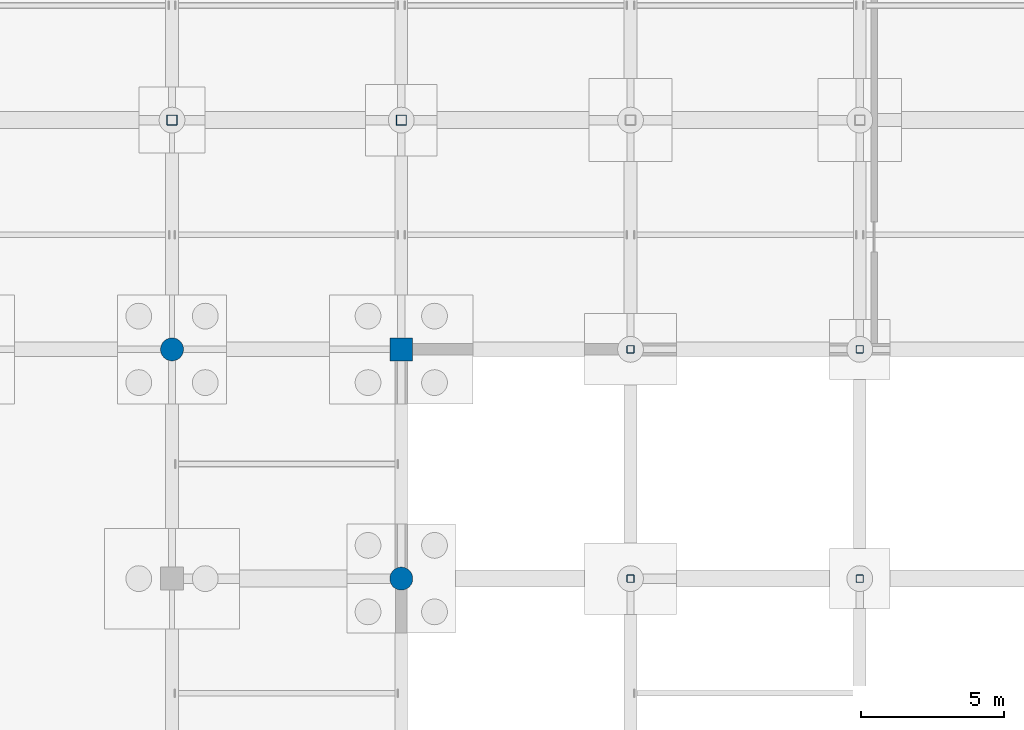
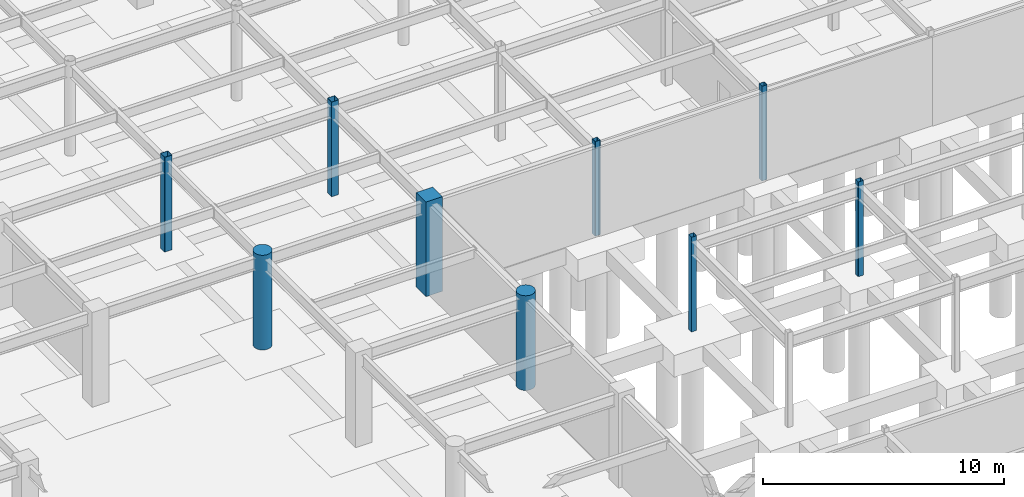
# One storey, part 31 of 105: 9 columns.
"""IFC4 building model written with IfcOpenShell, lengths in metres."""

from ifc_helpers import new_model, si_unit, direction, frame, origin, origin_2d, place, context, subcontext, project, spatial, rectangle, hollow_rectangle, circle, extrude, material, material_profile, profile_set, type_object, element, save


model = new_model("IFC4")

# Units and contexts
model_context = context("Model", 3, precision=1e-05, world=origin(), true_north=direction((0.0, 1.0)))
body_context = subcontext(model_context, "Body", "Model", "MODEL_VIEW")
ifc_project = project(units=[si_unit("LENGTHUNIT", "METRE"), si_unit("AREAUNIT", "SQUARE_METRE"), si_unit("VOLUMEUNIT", "CUBIC_METRE"), si_unit("PLANEANGLEUNIT", "RADIAN"), si_unit("MASSUNIT", "GRAM", prefix="KILO")], contexts=[model_context])

# Site, building, storey
site_placement = place(None, origin())
site = spatial("IfcSite", under=ifc_project, at=site_placement, CompositionType="ELEMENT")
building_placement = place(site_placement, origin())
building = spatial("IfcBuilding", under=site, at=building_placement, Name="Solmirada Galleria", CompositionType="ELEMENT")
storey_placement = place(building_placement, frame((0.0, 0.0, -4.800048828125)))
storey = spatial("IfcBuildingStorey", under=building, at=storey_placement, Name="B1", CompositionType="ELEMENT", Elevation=-4.800048828125)

# Columns
ifc_material_1 = material(Name="Concrete C40/50", Category="concrete")
ifc_material_profile_1 = material_profile(ifc_material_1, circle(Radius=0.39990234375, at=origin_2d()), Name="RCCOL800")
ifc_profile_set_1 = profile_set([ifc_material_profile_1], Name="Concrete C40/50")
column_type_1 = type_object("IfcColumnType", Name="COL-CIR800", PredefinedType="COLUMN", material=ifc_profile_set_1)
for number, where, z_axis, x_axis, name in (
    (1, (104.0, 72.0, 0.0), (0.0, 0.0, 1.0), (1.0, 0.0, 0.0), "Structural column B1-0756"),
    (2, (112.0, 64.0, 0.0), (0.0, 0.0, 1.0), (1.0, 0.0, 0.0), "Structural column B1-0863"),
):
    element("IfcColumn", number, at=place(storey_placement, frame(where, z_axis=z_axis, x_axis=x_axis)), inside=storey, type_object=column_type_1, Name=name, PredefinedType="COLUMN", context=body_context, shape_type="SweptSolid", body=[
        extrude(circle(Radius=0.39990234375, at=origin_2d()), origin(), (0.0, 0.0, 1.0), 4.800048828125),
    ])
ifc_material_2 = material(Name="Steel S355 / ASTM A500 Grade C", Category="steel")
ifc_material_profile_2 = material_profile(ifc_material_2, hollow_rectangle(XDim=0.25390625, YDim=0.25390625, WallThickness=0.0087890625, InnerFilletRadius=0.0087890625, OuterFilletRadius=0.017822265625, at=origin_2d()), Name="HSS10X10X3/8")
ifc_profile_set_2 = profile_set([ifc_material_profile_2], Name="Steel S355 / ASTM A500 Grade C")
column_type_2 = type_object("IfcColumnType", Name="COL-HSS10", PredefinedType="COLUMN", material=ifc_profile_set_2)
for number, where, z_axis, x_axis, name in (
    (3, (120.0, 64.0, 0.0), (0.0, 0.0, 1.0), (1.0, 0.0, 0.0), "Structural column B1-0966"),
    (4, (120.0, 72.0, 0.0), (0.0, 0.0, 1.0), (1.0, 0.0, 0.0), "Structural column B1-0968"),
    (5, (128.0, 64.0, 0.0), (0.0, 0.0, 1.0), (1.0, 0.0, 0.0), "Structural column B1-1049"),
    (6, (128.0, 72.0, 0.0), (0.0, 0.0, 1.0), (1.0, 0.0, 0.0), "Structural column B1-1051"),
):
    element("IfcColumn", number, at=place(storey_placement, frame(where, z_axis=z_axis, x_axis=x_axis)), inside=storey, type_object=column_type_2, Name=name, PredefinedType="COLUMN", context=body_context, shape_type="SweptSolid", body=[
        extrude(hollow_rectangle(XDim=0.25390625, YDim=0.25390625, WallThickness=0.0087890625, InnerFilletRadius=0.0087890625, OuterFilletRadius=0.017822265625, at=origin_2d()), origin(), (0.0, 0.0, 1.0), 4.800048828125),
    ])
ifc_material_profile_3 = material_profile(ifc_material_2, hollow_rectangle(XDim=0.35595703125, YDim=0.35595703125, WallThickness=0.01171875, InnerFilletRadius=0.01171875, OuterFilletRadius=0.023681640625, at=origin_2d()), Name="HSS14X14X1/2")
ifc_profile_set_3 = profile_set([ifc_material_profile_3], Name="Steel S355 / ASTM A500 Grade C")
column_type_3 = type_object("IfcColumnType", Name="COL-HSS14", PredefinedType="COLUMN", material=ifc_profile_set_3)
for number, where, z_axis, x_axis, name in (
    (7, (104.0, 80.0, 0.0), (0.0, 0.0, 1.0), (1.0, 0.0, 0.0), "Structural column B1-0765"),
    (8, (112.0, 80.0, 0.0), (0.0, 0.0, 1.0), (1.0, 0.0, 0.0), "Structural column B1-0881"),
):
    element("IfcColumn", number, at=place(storey_placement, frame(where, z_axis=z_axis, x_axis=x_axis)), inside=storey, type_object=column_type_3, Name=name, PredefinedType="COLUMN", context=body_context, shape_type="SweptSolid", body=[
        extrude(hollow_rectangle(XDim=0.35595703125, YDim=0.35595703125, WallThickness=0.01171875, InnerFilletRadius=0.01171875, OuterFilletRadius=0.023681640625, at=origin_2d()), origin(), (0.0, 0.0, 1.0), 4.800048828125),
    ])
ifc_material_profile_4 = material_profile(ifc_material_1, rectangle(XDim=0.800048828125, YDim=0.800048828125, at=origin_2d()), Name="RC800X800")
ifc_profile_set_4 = profile_set([ifc_material_profile_4], Name="Concrete C40/50")
column_type_4 = type_object("IfcColumnType", Name="COL-RC800", PredefinedType="COLUMN", material=ifc_profile_set_4)
column_placement = place(storey_placement, frame((112.0, 72.0, 0.0), z_axis=(0.0, 0.0, 1.0), x_axis=(1.0, 0.0, 0.0)))
element("IfcColumn", 9, at=column_placement, inside=storey, type_object=column_type_4, Name="Structural column B1-0872", PredefinedType="COLUMN", context=body_context, shape_type="SweptSolid", body=[
    extrude(rectangle(XDim=0.800048828125, YDim=0.800048828125, at=origin_2d()), origin(), (0.0, 0.0, 1.0), 4.800048828125),
])

save(model, "model.ifc")
